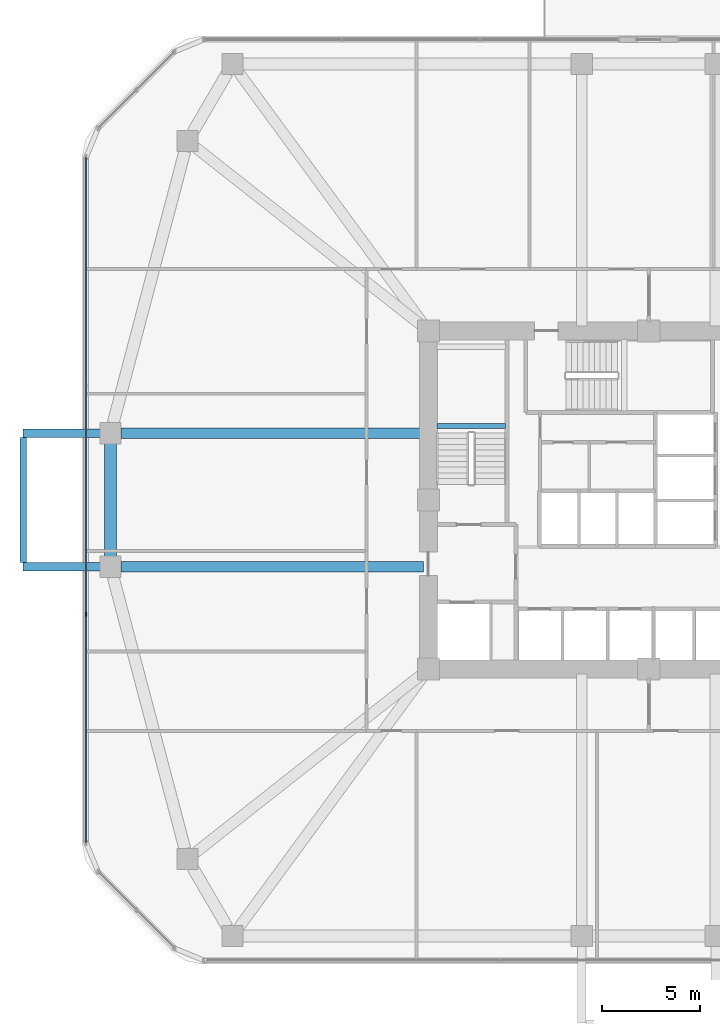
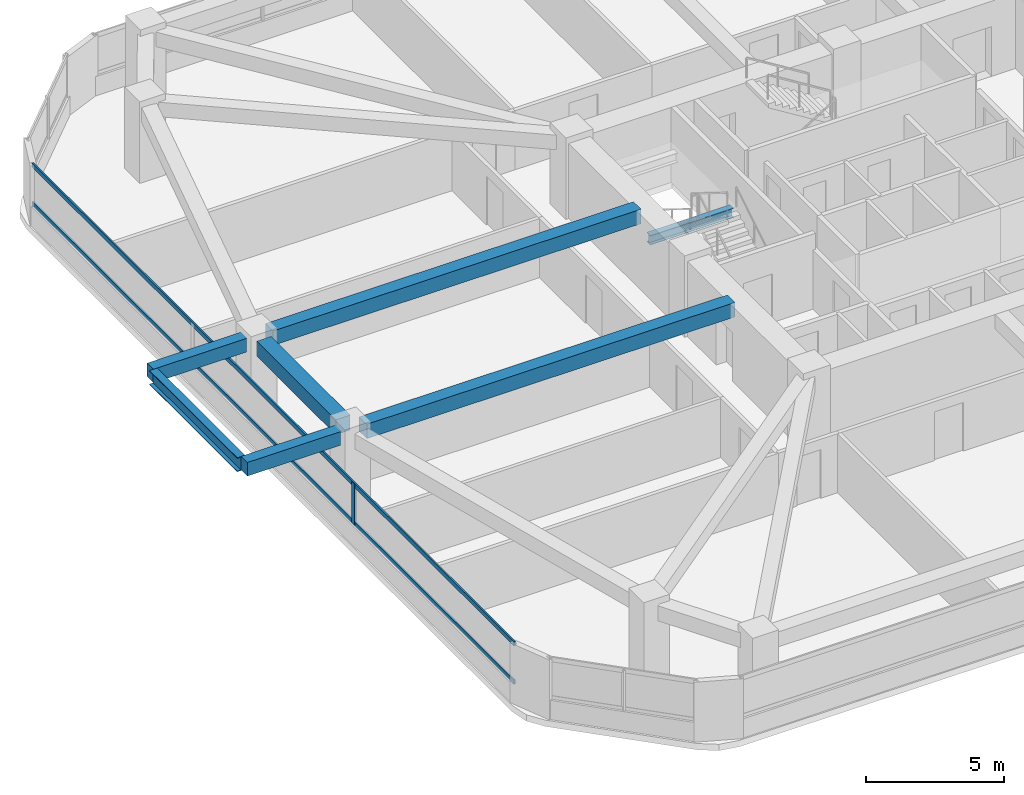
# One storey, part 4 of 13: 7 beams, 3 members, 1 element without a shape of its own.
"""IFC4 building model written with IfcOpenShell, lengths in metres."""

from ifc_helpers import new_model, si_unit, derived_unit, direction, frame, origin, origin_2d, place, context, subcontext, project, spatial, rectangle, i_section, extrude, material, material_profile, profile_set, type_object, element, aggregate, save


model = new_model("IFC4")

# Units and contexts
model_context = context("Model", 3, precision=1e-05, world=origin(), true_north=direction((0.0, 1.0)))
body_context = subcontext(model_context, "Body", "Model", "MODEL_VIEW")
ifc_project = project(units=[si_unit("LENGTHUNIT", "METRE"), si_unit("AREAUNIT", "SQUARE_METRE"), si_unit("VOLUMEUNIT", "CUBIC_METRE"), si_unit("PLANEANGLEUNIT", "RADIAN"), si_unit("MASSUNIT", "GRAM", prefix="KILO"), derived_unit("THERMALTRANSMITTANCEUNIT", [(si_unit("POWERUNIT", "WATT"), 1), (si_unit("LENGTHUNIT", "METRE"), -2), (si_unit("THERMODYNAMICTEMPERATUREUNIT", "KELVIN"), -1)])], contexts=[model_context])

# Site, building, storey
site_placement = place(None, origin())
site = spatial("IfcSite", under=ifc_project, at=site_placement, CompositionType="ELEMENT")
building_placement = place(site_placement, origin())
building = spatial("IfcBuilding", under=site, at=building_placement, Name="Koralith Skygarden Medical Center", CompositionType="ELEMENT")
storey_placement = place(building_placement, frame((0.0, 0.0, 59.93994140625)))
storey = spatial("IfcBuildingStorey", under=building, at=storey_placement, Name="L15", CompositionType="ELEMENT", Elevation=59.93994140625)

# Curtain wall, members
ifc_material_1 = material(Name="Clear Laminated Glass", Category="glass")
curtain_wall_type = type_object("IfcCurtainWallType", Name="CW-2 Zone 1 Hurricane Unitised Curtain Wall", PredefinedType="NOTDEFINED", material=ifc_material_1)
curtain_wall_placement = place(storey_placement, origin())
curtain_wall = element("IfcCurtainWall", 1, at=curtain_wall_placement, inside=storey, type_object=curtain_wall_type, Name="Curtain Wall CW-L15-W", PredefinedType="NOTDEFINED")
ifc_material_2 = material(Name="Aluminium 6063-T6", Category="aluminium")
ifc_material_profile_1 = material_profile(ifc_material_2, rectangle(XDim=0.071044921875, YDim=0.219970703125, at=origin_2d()), Name="MUL71X220")
ifc_profile_set_1 = profile_set([ifc_material_profile_1], Name="Aluminium 6063-T6")
member_type_1 = type_object("IfcMemberType", Name="CW-2 Extruded Mullion 71x220", PredefinedType="MULLION", material=ifc_profile_set_1)
member_1_placement = place(storey_placement, frame((8.3798828125, 20.0849609375, 0.85009765625), z_axis=(0.0, 0.0, 1.0), x_axis=(1.0, 0.0, 0.0)))
member_1 = element("IfcMember", 2, at=member_1_placement, type_object=member_type_1, Name="CW-L15-W Mullion 3", PredefinedType="MULLION", context=body_context, shape_type="SweptSolid", body=[
    extrude(rectangle(XDim=0.071044921875, YDim=0.219970703125, at=origin_2d()), origin(), (0.0, 0.0, 1.0), 1.800048828125),
])
ifc_material_profile_2 = material_profile(ifc_material_2, rectangle(XDim=0.06591796875, YDim=0.197998046875, at=origin_2d()), Name="TRN66X198")
ifc_profile_set_2 = profile_set([ifc_material_profile_2], Name="Aluminium 6063-T6")
member_type_2 = type_object("IfcMemberType", Name="CW-2 Thermal Transom 66x198", PredefinedType="USERDEFINED", material=ifc_profile_set_2)
member_2_placement = place(storey_placement, frame((8.3798828125, 43.344970703125, 0.900146484375), z_axis=(0.0, -1.0, 0.0), x_axis=(1.0, 0.0, 0.0)))
member_2 = element("IfcMember", 3, at=member_2_placement, type_object=member_type_2, Name="CW-L15-W Transom 1", ObjectType="TRANSOM", PredefinedType="USERDEFINED", context=body_context, shape_type="SweptSolid", body=[
    extrude(rectangle(XDim=0.06591796875, YDim=0.197998046875, at=origin_2d()), origin(), (0.0, 0.0, 1.0), 34.889892578125),
])
member_3_placement = place(storey_placement, frame((8.3798828125, 43.344970703125, 2.60009765625), z_axis=(0.0, -1.0, 0.0), x_axis=(1.0, 0.0, 0.0)))
member_3 = element("IfcMember", 4, at=member_3_placement, type_object=member_type_2, Name="CW-L15-W Transom 2", ObjectType="TRANSOM", PredefinedType="USERDEFINED", context=body_context, shape_type="SweptSolid", body=[
    extrude(rectangle(XDim=0.06591796875, YDim=0.197998046875, at=origin_2d()), origin(), (0.0, 0.0, 1.0), 34.889892578125),
])
aggregate(curtain_wall, [member_1, member_2, member_3])

# Beams
ifc_material_3 = material(Name="Steel ASTM A992 Grade 50", Category="steel")
ifc_material_profile_3 = material_profile(ifc_material_3, i_section(OverallWidth=0.326904296875, OverallDepth=0.6220703125, WebThickness=0.015380859375, FlangeThickness=0.0244140625, at=origin_2d()), Name="W24X131")
ifc_profile_set_3 = profile_set([ifc_material_profile_3], Name="Steel ASTM A992 Grade 50")
beam_type_1 = type_object("IfcBeamType", Name="Cantilever Tie Beam W24X131", PredefinedType="BEAM", material=ifc_profile_set_3)
beam_1_placement = place(storey_placement, frame((5.179931640625, 22.719970703125, 3.029052734375), z_axis=(0.0, 1.0, 0.0), x_axis=(-1.0, 0.0, 0.0)))
element("IfcBeam", 5, at=beam_1_placement, inside=storey, type_object=beam_type_1, Name="L16 W Balcony Tip Tie Beam", PredefinedType="BEAM", context=body_context, shape_type="SweptSolid", body=[
    extrude(i_section(OverallWidth=0.326904296875, OverallDepth=0.6220703125, WebThickness=0.015380859375, FlangeThickness=0.0244140625, at=origin_2d()), origin(), (0.0, 0.0, 1.0), 6.360107421875),
])
ifc_material_profile_4 = material_profile(ifc_material_3, i_section(OverallWidth=0.260009765625, OverallDepth=0.4150390625, WebThickness=0.010009765625, FlangeThickness=0.016845703125, at=origin_2d()), Name="W16X67")
ifc_profile_set_4 = profile_set([ifc_material_profile_4], Name="Steel ASTM A992 Grade 50")
beam_type_2 = type_object("IfcBeamType", Name="Clinical Floor Joist W16X67", PredefinedType="JOIST", material=ifc_profile_set_4)
beam_2_placement = place(storey_placement, frame((26.22998046875, 29.659912109375, 1.39208984375), z_axis=(1.0, 0.0, 0.0), x_axis=(0.0, 1.0, 0.0)))
element("IfcBeam", 6, at=beam_2_placement, inside=storey, type_object=beam_type_2, Name="L15 Stair ST1 Half-Landing Support Beam 1A", PredefinedType="JOIST", context=body_context, shape_type="SweptSolid", body=[
    extrude(i_section(OverallWidth=0.260009765625, OverallDepth=0.4150390625, WebThickness=0.010009765625, FlangeThickness=0.016845703125, at=origin_2d()), origin(), (0.0, 0.0, 1.0), 3.489990234375),
])
ifc_material_4 = material(Name="Concrete C45/55", Category="concrete")
ifc_material_profile_5 = material_profile(ifc_material_4, rectangle(XDim=0.449951171875, YDim=0.60009765625, at=origin_2d()), Name="RCB450X600")
ifc_profile_set_5 = profile_set([ifc_material_profile_5], Name="Concrete C45/55")
beam_type_3 = type_object("IfcBeamType", Name="Planted Balcony Cantilever Beam RCB450X600", PredefinedType="BEAM", material=ifc_profile_set_5)
for number, where, z_axis, x_axis, name in (
    (7, (9.10009765625, 22.5, 3.0400390625), (-1.0, 0.0, 0.0), (0.0, -1.0, 0.0), "L16 W Balcony Cantilever Beam A"),
    (8, (9.10009765625, 29.300048828125, 3.0400390625), (-1.0, 0.0, 0.0), (0.0, -1.0, 0.0), "L16 W Balcony Cantilever Beam B"),
):
    element("IfcBeam", number, at=place(storey_placement, frame(where, z_axis=z_axis, x_axis=x_axis)), inside=storey, type_object=beam_type_3, Name=name, PredefinedType="BEAM", context=body_context, shape_type="SweptSolid", body=[
        extrude(rectangle(XDim=0.449951171875, YDim=0.60009765625, at=origin_2d()), origin(), (0.0, 0.0, 1.0), 3.920166015625),
    ])
ifc_material_profile_6 = material_profile(ifc_material_4, rectangle(XDim=0.550048828125, YDim=0.639892578125, at=origin_2d()), Name="RCB550X640")
ifc_profile_set_6 = profile_set([ifc_material_profile_6], Name="Concrete C45/55")
beam_type_4 = type_object("IfcBeamType", Name="Radial Collector Beam RCB550X640", PredefinedType="BEAM", material=ifc_profile_set_6)
for number, where, z_axis, x_axis, name in (
    (9, (25.550048828125, 22.5, 3.0), (-1.0, 0.0, 0.0), (0.0, -1.0, 0.0), "L15 Radial Collector Beam RB-01"),
    (10, (25.550048828125, 29.300048828125, 3.0), (-1.0, 0.0, 0.0), (0.0, -1.0, 0.0), "L15 Radial Collector Beam RB-16"),
):
    element("IfcBeam", number, at=place(storey_placement, frame(where, z_axis=z_axis, x_axis=x_axis)), inside=storey, type_object=beam_type_4, Name=name, PredefinedType="BEAM", context=body_context, shape_type="SweptSolid", body=[
        extrude(rectangle(XDim=0.550048828125, YDim=0.639892578125, at=origin_2d()), origin(), (0.0, 0.0, 1.0), 15.400146484375),
    ])
ifc_material_profile_7 = material_profile(ifc_material_4, rectangle(XDim=0.60009765625, YDim=0.659912109375, at=origin_2d()), Name="RCB600X660")
ifc_profile_set_7 = profile_set([ifc_material_profile_7], Name="Concrete C45/55")
beam_type_5 = type_object("IfcBeamType", Name="Zone 1 Spandrel Beam RCB600X660", PredefinedType="SPANDREL", material=ifc_profile_set_7)
beam_3_placement = place(storey_placement, frame((9.6201171875, 28.77001953125, 2.989990234375), z_axis=(0.0, -1.0, 0.0), x_axis=(1.0, 0.0, 0.0)))
element("IfcBeam", 11, at=beam_3_placement, inside=storey, type_object=beam_type_5, Name="L15 Perimeter Spandrel Beam SP-16", PredefinedType="SPANDREL", context=body_context, shape_type="SweptSolid", body=[
    extrude(rectangle(XDim=0.60009765625, YDim=0.659912109375, at=origin_2d()), origin(), (0.0, 0.0, 1.0), 5.739990234375),
])

save(model, "model.ifc")
